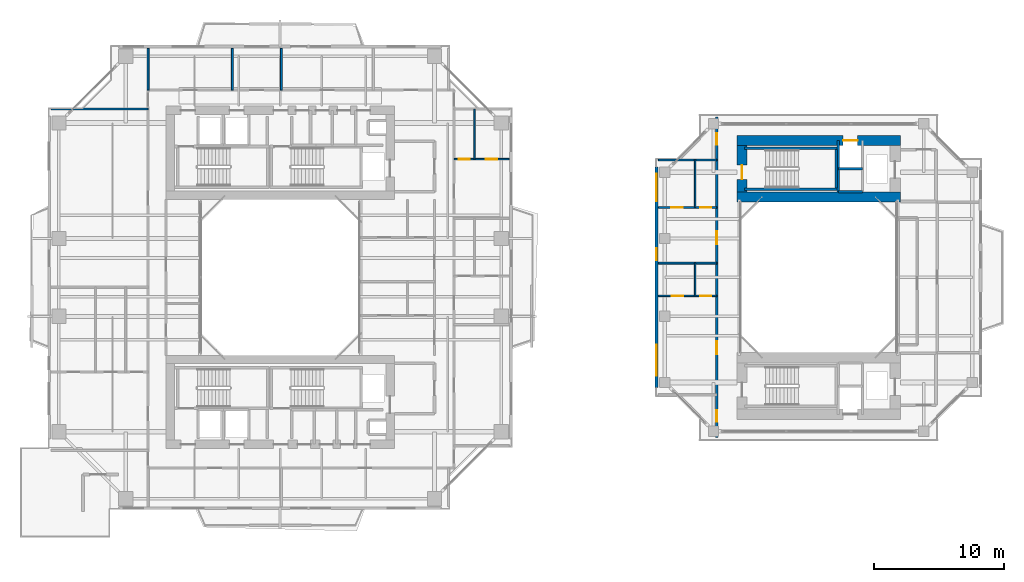
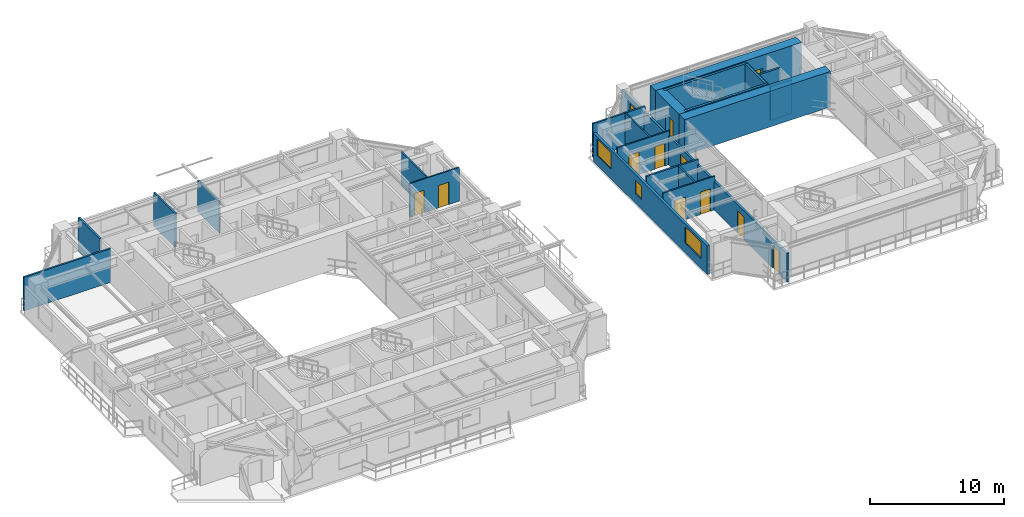
# One storey, part 16 of 23: 23 walls, 12 doors, 3 windows, 15 openings.
"""IFC4 building model written with IfcOpenShell, lengths in metres."""

from ifc_helpers import new_model, si_unit, direction, frame, frame_2d, origin, place, context, subcontext, project, spatial, rectangle, extrude, source, transform, mapped, material, layer, layer_set, type_object, element, fill, save


model = new_model("IFC4")

# Units and contexts
model_context = context("Model", 3, precision=1e-05, world=origin(), true_north=direction((0.0, 1.0)))
body_context = subcontext(model_context, "Body", "Model", "MODEL_VIEW")
ifc_project = project(units=[si_unit("LENGTHUNIT", "METRE"), si_unit("AREAUNIT", "SQUARE_METRE"), si_unit("VOLUMEUNIT", "CUBIC_METRE"), si_unit("PLANEANGLEUNIT", "RADIAN"), si_unit("MASSUNIT", "GRAM", prefix="KILO"), si_unit("THERMODYNAMICTEMPERATUREUNIT", "KELVIN"), si_unit("POWERUNIT", "WATT")], contexts=[model_context])

# Site, building, storey
site_placement = place(None, origin())
site = spatial("IfcSite", under=ifc_project, at=site_placement, CompositionType="ELEMENT")
building_placement = place(site_placement, origin())
building = spatial("IfcBuilding", under=site, at=building_placement, Name="Qiaomeng Ring Towers", CompositionType="ELEMENT")
storey_placement = place(building_placement, frame((0.0, 0.0, 103.5)))
storey = spatial("IfcBuildingStorey", under=building, at=storey_placement, Name="L29", CompositionType="ELEMENT", Elevation=103.5)

# Wall, openings, windows
ifc_material_1 = material(Name="Precast concrete C40", Category="concrete")
ifc_layer_1 = layer(ifc_material_1, 0.219970703125, Name="Precast concrete C40")
ifc_layer_set_1 = layer_set([ifc_layer_1], Name="Precast concrete C40")
wall_type_1 = type_object("IfcWallType", Name="ARC-WL-EW2", PredefinedType="STANDARD", material=ifc_layer_set_1)
wall_1_placement = place(storey_placement, frame((48.010009765625, 14.5, 0.0), z_axis=(0.0, 0.0, 1.0), x_axis=(0.0, 1.0, 0.0)))
wall_1 = element("IfcWall", 1, at=wall_1_placement, inside=storey, type_object=wall_type_1, Name="L29 Companion West Wall", PredefinedType="STANDARD", context=body_context, shape_type="SweptSolid", body=[
    extrude(rectangle(XDim=17.0, YDim=0.219970703125, at=frame_2d((8.5, 0.0))), origin(), (0.0, 0.0, 1.0), 2.610107421875),
])
opening_1_placement = place(wall_1_placement, frame((0.925048828125, 0.0, 0.89990234375)))
opening_1 = element("IfcOpeningElement", 2, at=opening_1_placement, cuts=wall_1, Name="Opening WN6", PredefinedType="OPENING", context=body_context, shape_type="SweptSolid", body=[
    extrude(rectangle(XDim=2.39990234375, YDim=1.47998046875, at=frame_2d((1.199951171875, 0.739990234375))), frame((0.0, 0.119873046875, 0.0), z_axis=(0.0, -1.0, 0.0), x_axis=(1.0, 0.0, 0.0)), (0.0, 0.0, 1.0), 0.239990234375),
])
opening_2_placement = place(wall_1_placement, frame((14.3798828125, 0.0, 0.89990234375)))
opening_2 = element("IfcOpeningElement", 3, at=opening_2_placement, cuts=wall_1, Name="Opening WN4", PredefinedType="OPENING", context=body_context, shape_type="SweptSolid", body=[
    extrude(rectangle(XDim=2.10009765625, YDim=1.5, at=frame_2d((1.050048828125, 0.75))), frame((0.0, 0.119873046875, 0.0), z_axis=(0.0, -1.0, 0.0), x_axis=(1.0, 0.0, 0.0)), (0.0, 0.0, 1.0), 0.239990234375),
])
opening_3_placement = place(wall_1_placement, frame((9.8349609375, 0.0, 0.89990234375)))
opening_3 = element("IfcOpeningElement", 4, at=opening_3_placement, cuts=wall_1, Name="Opening WN5", PredefinedType="OPENING", context=body_context, shape_type="SweptSolid", body=[
    extrude(rectangle(XDim=0.89990234375, YDim=1.199951171875, at=frame_2d((0.449951171875, 0.60009765625))), frame((0.0, 0.119873046875, 0.0), z_axis=(0.0, -1.0, 0.0), x_axis=(1.0, 0.0, 0.0)), (0.0, 0.0, 1.0), 0.239990234375),
])
ifc_material_2 = material(Name="Low-E dark-grey laminated double glazing", Category="glass")
window_type_1 = type_object("IfcWindowType", Name="ARC-WN-4", PartitioningType="TRIPLE_PANEL_VERTICAL", PredefinedType="WINDOW", material=ifc_material_2)
shared_shape_1 = source(origin(), body_context, "Body", "SweptSolid", [
    extrude(rectangle(XDim=2.10009765625, YDim=1.5, at=frame_2d((1.050048828125, 0.75))), frame((0.0, 0.030029296875, 0.0), z_axis=(0.0, -1.0, 0.0), x_axis=(1.0, 0.0, 0.0)), (0.0, 0.0, 1.0), 0.06005859375),
])
window_1_placement = place(opening_2_placement, origin())
window_1 = element("IfcWindow", 5, at=window_1_placement, inside=storey, type_object=window_type_1, Name="L29 Exterior Window WN4", OverallHeight=1.5, OverallWidth=2.10009765625, PartitioningType="TRIPLE_PANEL_VERTICAL", PredefinedType="WINDOW", context=body_context, shape_type="MappedRepresentation", body=[
    mapped(shared_shape_1, transform((0.0, 0.0, 0.0), x_axis=(1.0, 0.0, 0.0), y_axis=(0.0, 1.0, 0.0), z_axis=(0.0, 0.0, 1.0), scale=1.0)),
])
fill(opening_2, window_1)
window_type_2 = type_object("IfcWindowType", Name="ARC-WN-6", PartitioningType="TRIPLE_PANEL_VERTICAL", PredefinedType="WINDOW", material=ifc_material_2)
shared_shape_2 = source(origin(), body_context, "Body", "SweptSolid", [
    extrude(rectangle(XDim=2.39990234375, YDim=1.47998046875, at=frame_2d((1.199951171875, 0.739990234375))), frame((0.0, 0.030029296875, 0.0), z_axis=(0.0, -1.0, 0.0), x_axis=(1.0, 0.0, 0.0)), (0.0, 0.0, 1.0), 0.06005859375),
])
window_2_placement = place(opening_1_placement, origin())
window_2 = element("IfcWindow", 6, at=window_2_placement, inside=storey, type_object=window_type_2, Name="L29 Exterior Window WN6", OverallHeight=1.47998046875, OverallWidth=2.39990234375, PartitioningType="TRIPLE_PANEL_VERTICAL", PredefinedType="WINDOW", context=body_context, shape_type="MappedRepresentation", body=[
    mapped(shared_shape_2, transform((0.0, 0.0, 0.0), x_axis=(1.0, 0.0, 0.0), y_axis=(0.0, 1.0, 0.0), z_axis=(0.0, 0.0, 1.0), scale=1.0)),
])
fill(opening_1, window_2)
window_type_3 = type_object("IfcWindowType", Name="ARC-WN-5", PartitioningType="SINGLE_PANEL", PredefinedType="WINDOW", material=ifc_material_2)
shared_shape_3 = source(origin(), body_context, "Body", "SweptSolid", [
    extrude(rectangle(XDim=0.89990234375, YDim=1.199951171875, at=frame_2d((0.449951171875, 0.60009765625))), frame((0.0, 0.030029296875, 0.0), z_axis=(0.0, -1.0, 0.0), x_axis=(1.0, 0.0, 0.0)), (0.0, 0.0, 1.0), 0.06005859375),
])
window_3_placement = place(opening_3_placement, origin())
window_3 = element("IfcWindow", 7, at=window_3_placement, inside=storey, type_object=window_type_3, Name="L29 Exterior Window WN5", OverallHeight=1.199951171875, OverallWidth=0.89990234375, PartitioningType="SINGLE_PANEL", PredefinedType="WINDOW", context=body_context, shape_type="MappedRepresentation", body=[
    mapped(shared_shape_3, transform((0.0, 0.0, 0.0), x_axis=(1.0, 0.0, 0.0), y_axis=(0.0, 1.0, 0.0), z_axis=(0.0, 0.0, 1.0), scale=1.0)),
])
fill(opening_3, window_3)

# Wall, openings, doors
ifc_material_3 = material(Name="Autoclaved aerated concrete block", Category="concrete")
ifc_layer_2 = layer(ifc_material_3, 0.179931640625, Name="Autoclaved aerated concrete block")
ifc_layer_set_2 = layer_set([ifc_layer_2], Name="Autoclaved aerated concrete block")
wall_type_2 = type_object("IfcWallType", Name="ARC-WL-PW2", PredefinedType="PARTITIONING", material=ifc_layer_set_2)
wall_2_placement = place(storey_placement, frame((52.64990234375, 10.64990234375, 0.0), z_axis=(0.0, 0.0, 1.0), x_axis=(0.0, 1.0, 0.0)))
wall_2 = element("IfcWall", 8, at=wall_2_placement, inside=storey, type_object=wall_type_2, Name="L29 Interior Wall PW2", PredefinedType="PARTITIONING", context=body_context, shape_type="SweptSolid", body=[
    extrude(rectangle(XDim=24.7001953125, YDim=0.179931640625, at=frame_2d((12.35009765625, 0.0))), origin(), (0.0, 0.0, 1.0), 2.614990234375),
])
opening_4_placement = place(wall_2_placement, frame((22.580078125, 0.0, 0.0)))
opening_4 = element("IfcOpeningElement", 9, at=opening_4_placement, cuts=wall_2, Name="Opening ID1", PredefinedType="OPENING", context=body_context, shape_type="SweptSolid", body=[
    extrude(rectangle(XDim=0.89990234375, YDim=2.050048828125, at=frame_2d((0.449951171875, 1.02490234375))), frame((0.0, 0.099853515625, 0.0), z_axis=(0.0, -1.0, 0.0), x_axis=(1.0, 0.0, 0.0)), (0.0, 0.0, 1.0), 0.199951171875),
])
opening_5_placement = place(wall_2_placement, frame((1.219970703125, 0.0, 0.0)))
opening_5 = element("IfcOpeningElement", 10, at=opening_5_placement, cuts=wall_2, Name="Opening ID1", PredefinedType="OPENING", context=body_context, shape_type="SweptSolid", body=[
    extrude(rectangle(XDim=0.89990234375, YDim=2.050048828125, at=frame_2d((0.449951171875, 1.02490234375))), frame((0.0, 0.099853515625, 0.0), z_axis=(0.0, -1.0, 0.0), x_axis=(1.0, 0.0, 0.0)), (0.0, 0.0, 1.0), 0.199951171875),
])
opening_6_placement = place(wall_2_placement, frame((6.425048828125, 0.0, 0.0)))
opening_6 = element("IfcOpeningElement", 11, at=opening_6_placement, cuts=wall_2, Name="Opening FD4", PredefinedType="OPENING", context=body_context, shape_type="SweptSolid", body=[
    extrude(rectangle(XDim=1.0, YDim=2.050048828125, at=frame_2d((0.5, 1.02490234375))), frame((0.0, 0.099853515625, 0.0), z_axis=(0.0, -1.0, 0.0), x_axis=(1.0, 0.0, 0.0)), (0.0, 0.0, 1.0), 0.199951171875),
])
opening_7_placement = place(wall_2_placement, frame((14.905029296875, 0.0, 0.0)))
opening_7 = element("IfcOpeningElement", 12, at=opening_7_placement, cuts=wall_2, Name="Opening FD4", PredefinedType="OPENING", context=body_context, shape_type="SweptSolid", body=[
    extrude(rectangle(XDim=1.0, YDim=2.050048828125, at=frame_2d((0.5, 1.02490234375))), frame((0.0, 0.099853515625, 0.0), z_axis=(0.0, -1.0, 0.0), x_axis=(1.0, 0.0, 0.0)), (0.0, 0.0, 1.0), 0.199951171875),
])
ifc_material_4 = material(Name="Engineered fire-rated oak timber", Category="wood")
door_type_1 = type_object("IfcDoorType", Name="ARC-DR-FD4", OperationType="NOTDEFINED", PredefinedType="DOOR", material=ifc_material_4)
shared_shape_4 = source(origin(), body_context, "Body", "SweptSolid", [
    extrude(rectangle(XDim=1.0, YDim=2.050048828125, at=frame_2d((0.5, 1.02490234375))), frame((0.0, 0.02490234375, 0.0), z_axis=(0.0, -1.0, 0.0), x_axis=(1.0, 0.0, 0.0)), (0.0, 0.0, 1.0), 0.050048828125),
])
door_1_placement = place(opening_6_placement, origin())
door_1 = element("IfcDoor", 13, at=door_1_placement, inside=storey, type_object=door_type_1, Name="L29 Door FD4", OperationType="SINGLE_SWING_LEFT", OverallHeight=2.050048828125, OverallWidth=1.0, PredefinedType="DOOR", context=body_context, shape_type="MappedRepresentation", body=[
    mapped(shared_shape_4, transform((0.0, 0.0, 0.0), x_axis=(1.0, 0.0, 0.0), y_axis=(0.0, 1.0, 0.0), z_axis=(0.0, 0.0, 1.0), scale=1.0)),
])
fill(opening_6, door_1)
door_2_placement = place(opening_7_placement, origin())
door_2 = element("IfcDoor", 14, at=door_2_placement, inside=storey, type_object=door_type_1, Name="L29 Door FD4", OperationType="SINGLE_SWING_RIGHT", OverallHeight=2.050048828125, OverallWidth=1.0, PredefinedType="DOOR", context=body_context, shape_type="MappedRepresentation", body=[
    mapped(shared_shape_4, transform((0.0, 0.0, 0.0), x_axis=(1.0, 0.0, 0.0), y_axis=(0.0, 1.0, 0.0), z_axis=(0.0, 0.0, 1.0), scale=1.0)),
])
fill(opening_7, door_2)
ifc_material_5 = material(Name="Engineered oak timber", Category="wood")
door_type_2 = type_object("IfcDoorType", Name="ARC-DR-ID1", OperationType="NOTDEFINED", PredefinedType="DOOR", material=ifc_material_5)
shared_shape_5 = source(origin(), body_context, "Body", "SweptSolid", [
    extrude(rectangle(XDim=0.89990234375, YDim=2.050048828125, at=frame_2d((0.449951171875, 1.02490234375))), frame((0.0, 0.02490234375, 0.0), z_axis=(0.0, -1.0, 0.0), x_axis=(1.0, 0.0, 0.0)), (0.0, 0.0, 1.0), 0.050048828125),
])
door_3_placement = place(opening_4_placement, origin())
door_3 = element("IfcDoor", 15, at=door_3_placement, inside=storey, type_object=door_type_2, Name="L29 Door ID1", OperationType="SINGLE_SWING_LEFT", OverallHeight=2.050048828125, OverallWidth=0.89990234375, PredefinedType="DOOR", context=body_context, shape_type="MappedRepresentation", body=[
    mapped(shared_shape_5, transform((0.0, 0.0, 0.0), x_axis=(1.0, 0.0, 0.0), y_axis=(0.0, 1.0, 0.0), z_axis=(0.0, 0.0, 1.0), scale=1.0)),
])
fill(opening_4, door_3)
door_4_placement = place(opening_5_placement, origin())
door_4 = element("IfcDoor", 16, at=door_4_placement, inside=storey, type_object=door_type_2, Name="L29 Door ID1", OperationType="SINGLE_SWING_RIGHT", OverallHeight=2.050048828125, OverallWidth=0.89990234375, PredefinedType="DOOR", context=body_context, shape_type="MappedRepresentation", body=[
    mapped(shared_shape_5, transform((0.0, 0.0, 0.0), x_axis=(1.0, 0.0, 0.0), y_axis=(0.0, 1.0, 0.0), z_axis=(0.0, 0.0, 1.0), scale=1.0)),
])
fill(opening_5, door_4)

# Walls
ifc_material_6 = material(Name="Gypsum fireboard steel-stud partition", Category="steel")
ifc_layer_3 = layer(ifc_material_6, 0.14990234375, Name="Gypsum fireboard steel-stud partition")
ifc_layer_set_3 = layer_set([ifc_layer_3], Name="Gypsum fireboard steel-stud partition")
wall_type_3 = type_object("IfcWallType", Name="ARC-WL-PW3", PredefinedType="PARTITIONING", material=ifc_layer_set_3)
wall_3_placement = place(storey_placement, frame((15.320068359375, 37.43994140625, 0.0), z_axis=(0.0, 0.0, 1.0), x_axis=(0.0, 1.0, 0.0)))
element("IfcWall", 17, at=wall_3_placement, inside=storey, type_object=wall_type_3, Name="L29 Interior Wall PW3", PredefinedType="PARTITIONING", context=body_context, shape_type="SweptSolid", body=[
    extrude(rectangle(XDim=3.2099609375, YDim=0.14990234375, at=frame_2d((1.60498046875, 0.0))), origin(), (0.0, 0.0, 1.0), 3.070068359375),
])
wall_4_placement = place(storey_placement, frame((19.10009765625, 37.43994140625, 0.0), z_axis=(0.0, 0.0, 1.0), x_axis=(0.0, 1.0, 0.0)))
element("IfcWall", 18, at=wall_4_placement, inside=storey, type_object=wall_type_3, Name="L29 Interior Wall PW3", PredefinedType="PARTITIONING", context=body_context, shape_type="SweptSolid", body=[
    extrude(rectangle(XDim=3.2099609375, YDim=0.14990234375, at=frame_2d((1.60498046875, 0.0))), origin(), (0.0, 0.0, 1.0), 2.864990234375),
])
wall_5_placement = place(storey_placement, frame((8.820068359375, 37.43994140625, 0.0), z_axis=(0.0, 0.0, 1.0), x_axis=(0.0, 1.0, 0.0)))
element("IfcWall", 19, at=wall_5_placement, inside=storey, type_object=wall_type_3, Name="L29 Interior Wall PW3", PredefinedType="PARTITIONING", context=body_context, shape_type="SweptSolid", body=[
    extrude(rectangle(XDim=3.2099609375, YDim=0.14990234375, at=frame_2d((1.60498046875, 0.0))), origin(), (0.0, 0.0, 1.0), 3.070068359375),
])
wall_6_placement = place(storey_placement, frame((1.35009765625, 35.97998046875, 0.0), z_axis=(0.0, 0.0, 1.0), x_axis=(1.0, 0.0, 0.0)))
element("IfcWall", 20, at=wall_6_placement, inside=storey, type_object=wall_type_3, Name="L29 Interior Wall PW3", PredefinedType="PARTITIONING", context=body_context, shape_type="SweptSolid", body=[
    extrude(rectangle(XDim=7.469970703125, YDim=0.14990234375, at=frame_2d((3.73486328125, 0.0))), origin(), (0.0, 0.0, 1.0), 3.070068359375),
])
for number, where, z_axis, x_axis, name in (
    (21, (48.14990234375, 32.050048828125, 0.0), (0.0, 0.0, 1.0), (1.0, 0.0, 0.0), "L29 Interior Wall PW3"),
    (22, (48.14990234375, 24.10009765625, 0.0), (0.0, 0.0, 1.0), (1.0, 0.0, 0.0), "L29 Interior Wall PW3"),
):
    element("IfcWall", number, at=place(storey_placement, frame(where, z_axis=z_axis, x_axis=x_axis)), inside=storey, type_object=wall_type_3, Name=name, PredefinedType="PARTITIONING", context=body_context, shape_type="SweptSolid", body=[
        extrude(rectangle(XDim=4.5, YDim=0.14990234375, at=frame_2d((2.25, 0.0))), origin(), (0.0, 0.0, 1.0), 3.070068359375),
    ])

# Wall, openings, doors
ifc_material_7 = material(Name="Moisture-resistant gypsum steel-stud partition", Category="steel")
ifc_layer_4 = layer(ifc_material_7, 0.1201171875, Name="Moisture-resistant gypsum steel-stud partition")
ifc_layer_set_4 = layer_set([ifc_layer_4], Name="Moisture-resistant gypsum steel-stud partition")
wall_type_4 = type_object("IfcWallType", Name="ARC-WL-PW4", PredefinedType="PLUMBINGWALL", material=ifc_layer_set_4)
wall_7_placement = place(storey_placement, frame((32.39990234375, 32.110107421875, 0.0), z_axis=(0.0, 0.0, 1.0), x_axis=(1.0, 0.0, 0.0)))
wall_7 = element("IfcWall", 23, at=wall_7_placement, inside=storey, type_object=wall_type_4, Name="L29 Interior Wall PW4", PredefinedType="PLUMBINGWALL", context=body_context, shape_type="SweptSolid", body=[
    extrude(rectangle(XDim=4.25, YDim=0.1201171875, at=frame_2d((2.125, 0.0))), origin(), (0.0, 0.0, 1.0), 3.070068359375),
])
opening_8_placement = place(wall_7_placement, frame((0.3701171875, 0.0, 0.0)))
opening_8 = element("IfcOpeningElement", 24, at=opening_8_placement, cuts=wall_7, Name="Opening ID2", PredefinedType="OPENING", context=body_context, shape_type="SweptSolid", body=[
    extrude(rectangle(XDim=0.85009765625, YDim=2.050048828125, at=frame_2d((0.425048828125, 1.02490234375))), frame((0.0, 0.070068359375, 0.0), z_axis=(0.0, -1.0, 0.0), x_axis=(1.0, 0.0, 0.0)), (0.0, 0.0, 1.0), 0.14013671875),
])
opening_9_placement = place(wall_7_placement, frame((2.449951171875, 0.0, 0.0)))
opening_9 = element("IfcOpeningElement", 25, at=opening_9_placement, cuts=wall_7, Name="Opening ID1", PredefinedType="OPENING", context=body_context, shape_type="SweptSolid", body=[
    extrude(rectangle(XDim=0.89990234375, YDim=2.050048828125, at=frame_2d((0.449951171875, 1.02490234375))), frame((0.0, 0.070068359375, 0.0), z_axis=(0.0, -1.0, 0.0), x_axis=(1.0, 0.0, 0.0)), (0.0, 0.0, 1.0), 0.14013671875),
])
ifc_material_8 = material(Name="Moisture-resistant engineered timber", Category="wood")
door_type_3 = type_object("IfcDoorType", Name="ARC-DR-ID2", OperationType="NOTDEFINED", PredefinedType="DOOR", material=ifc_material_8)
shared_shape_6 = source(origin(), body_context, "Body", "SweptSolid", [
    extrude(rectangle(XDim=0.85009765625, YDim=2.050048828125, at=frame_2d((0.425048828125, 1.02490234375))), frame((0.0, 0.02490234375, 0.0), z_axis=(0.0, -1.0, 0.0), x_axis=(1.0, 0.0, 0.0)), (0.0, 0.0, 1.0), 0.050048828125),
])
door_5_placement = place(opening_8_placement, origin())
door_5 = element("IfcDoor", 26, at=door_5_placement, inside=storey, type_object=door_type_3, Name="L29 Door ID2", OperationType="SINGLE_SWING_RIGHT", OverallHeight=2.050048828125, OverallWidth=0.85009765625, PredefinedType="DOOR", context=body_context, shape_type="MappedRepresentation", body=[
    mapped(shared_shape_6, transform((0.0, 0.0, 0.0), x_axis=(1.0, 0.0, 0.0), y_axis=(0.0, 1.0, 0.0), z_axis=(0.0, 0.0, 1.0), scale=1.0)),
])
fill(opening_8, door_5)
door_6_placement = place(opening_9_placement, origin())
door_6 = element("IfcDoor", 27, at=door_6_placement, inside=storey, type_object=door_type_2, Name="L29 Door ID1", OperationType="SINGLE_SWING_LEFT", OverallHeight=2.050048828125, OverallWidth=0.89990234375, PredefinedType="DOOR", context=body_context, shape_type="MappedRepresentation", body=[
    mapped(shared_shape_5, transform((0.0, 0.0, 0.0), x_axis=(1.0, 0.0, 0.0), y_axis=(0.0, 1.0, 0.0), z_axis=(0.0, 0.0, 1.0), scale=1.0)),
])
fill(opening_9, door_6)

# Wall
wall_8_placement = place(storey_placement, frame((33.969970703125, 32.110107421875, 0.0), z_axis=(0.0, 0.0, 1.0), x_axis=(0.0, 1.0, 0.0)))
element("IfcWall", 28, at=wall_8_placement, inside=storey, type_object=wall_type_4, Name="L29 Interior Wall PW4", PredefinedType="PLUMBINGWALL", context=body_context, shape_type="SweptSolid", body=[
    extrude(rectangle(XDim=3.869873046875, YDim=0.1201171875, at=frame_2d((1.93505859375, 0.0))), origin(), (0.0, 0.0, 1.0), 3.070068359375),
])

# Wall, openings, doors
wall_9_placement = place(storey_placement, frame((48.14990234375, 21.580078125, 0.0), z_axis=(0.0, 0.0, 1.0), x_axis=(1.0, 0.0, 0.0)))
wall_9 = element("IfcWall", 29, at=wall_9_placement, inside=storey, type_object=wall_type_4, Name="L29 Interior Wall PW4", PredefinedType="PLUMBINGWALL", context=body_context, shape_type="SweptSolid", body=[
    extrude(rectangle(XDim=4.5, YDim=0.1201171875, at=frame_2d((2.25, 0.0))), origin(), (0.0, 0.0, 1.0), 3.070068359375),
])
opening_10_placement = place(wall_9_placement, frame((1.035888671875, 0.0, 0.0)))
opening_10 = element("IfcOpeningElement", 30, at=opening_10_placement, cuts=wall_9, Name="Opening ID1", PredefinedType="OPENING", context=body_context, shape_type="SweptSolid", body=[
    extrude(rectangle(XDim=0.89990234375, YDim=2.050048828125, at=frame_2d((0.449951171875, 1.02490234375))), frame((0.0, 0.070068359375, 0.0), z_axis=(0.0, -1.0, 0.0), x_axis=(1.0, 0.0, 0.0)), (0.0, 0.0, 1.0), 0.14013671875),
])
opening_11_placement = place(wall_9_placement, frame((3.22998046875, 0.0, 0.0)))
opening_11 = element("IfcOpeningElement", 31, at=opening_11_placement, cuts=wall_9, Name="Opening ID2", PredefinedType="OPENING", context=body_context, shape_type="SweptSolid", body=[
    extrude(rectangle(XDim=0.85009765625, YDim=2.050048828125, at=frame_2d((0.425048828125, 1.02490234375))), frame((0.0, 0.070068359375, 0.0), z_axis=(0.0, -1.0, 0.0), x_axis=(1.0, 0.0, 0.0)), (0.0, 0.0, 1.0), 0.14013671875),
])
door_7_placement = place(opening_11_placement, origin())
door_7 = element("IfcDoor", 32, at=door_7_placement, inside=storey, type_object=door_type_3, Name="L29 Door ID2", OperationType="SINGLE_SWING_RIGHT", OverallHeight=2.050048828125, OverallWidth=0.85009765625, PredefinedType="DOOR", context=body_context, shape_type="MappedRepresentation", body=[
    mapped(shared_shape_6, transform((0.0, 0.0, 0.0), x_axis=(1.0, 0.0, 0.0), y_axis=(0.0, 1.0, 0.0), z_axis=(0.0, 0.0, 1.0), scale=1.0)),
])
fill(opening_11, door_7)
door_8_placement = place(opening_10_placement, origin())
door_8 = element("IfcDoor", 33, at=door_8_placement, inside=storey, type_object=door_type_2, Name="L29 Door ID1", OperationType="SINGLE_SWING_LEFT", OverallHeight=2.050048828125, OverallWidth=0.89990234375, PredefinedType="DOOR", context=body_context, shape_type="MappedRepresentation", body=[
    mapped(shared_shape_5, transform((0.0, 0.0, 0.0), x_axis=(1.0, 0.0, 0.0), y_axis=(0.0, 1.0, 0.0), z_axis=(0.0, 0.0, 1.0), scale=1.0)),
])
fill(opening_10, door_8)

# Wall
wall_10_placement = place(storey_placement, frame((50.97998046875, 21.580078125, 0.0), z_axis=(0.0, 0.0, 1.0), x_axis=(0.0, 1.0, 0.0)))
element("IfcWall", 34, at=wall_10_placement, inside=storey, type_object=wall_type_4, Name="L29 Interior Wall PW4", PredefinedType="PLUMBINGWALL", context=body_context, shape_type="SweptSolid", body=[
    extrude(rectangle(XDim=2.52001953125, YDim=0.1201171875, at=frame_2d((1.260009765625, 0.0))), origin(), (0.0, 0.0, 1.0), 3.070068359375),
])

# Wall, openings, doors
wall_11_placement = place(storey_placement, frame((48.14990234375, 28.389892578125, 0.0), z_axis=(0.0, 0.0, 1.0), x_axis=(1.0, 0.0, 0.0)))
wall_11 = element("IfcWall", 35, at=wall_11_placement, inside=storey, type_object=wall_type_4, Name="L29 Interior Wall PW4", PredefinedType="PLUMBINGWALL", context=body_context, shape_type="SweptSolid", body=[
    extrude(rectangle(XDim=4.5, YDim=0.1201171875, at=frame_2d((2.25, 0.0))), origin(), (0.0, 0.0, 1.0), 3.070068359375),
])
opening_12_placement = place(wall_11_placement, frame((0.97509765625, 0.0, 0.0)))
opening_12 = element("IfcOpeningElement", 36, at=opening_12_placement, cuts=wall_11, Name="Opening ID1", PredefinedType="OPENING", context=body_context, shape_type="SweptSolid", body=[
    extrude(rectangle(XDim=0.89990234375, YDim=2.050048828125, at=frame_2d((0.449951171875, 1.02490234375))), frame((0.0, 0.070068359375, 0.0), z_axis=(0.0, -1.0, 0.0), x_axis=(1.0, 0.0, 0.0)), (0.0, 0.0, 1.0), 0.14013671875),
])
opening_13_placement = place(wall_11_placement, frame((3.22998046875, 0.0, 0.0)))
opening_13 = element("IfcOpeningElement", 37, at=opening_13_placement, cuts=wall_11, Name="Opening ID2", PredefinedType="OPENING", context=body_context, shape_type="SweptSolid", body=[
    extrude(rectangle(XDim=0.85009765625, YDim=2.050048828125, at=frame_2d((0.425048828125, 1.02490234375))), frame((0.0, 0.070068359375, 0.0), z_axis=(0.0, -1.0, 0.0), x_axis=(1.0, 0.0, 0.0)), (0.0, 0.0, 1.0), 0.14013671875),
])
door_9_placement = place(opening_13_placement, origin())
door_9 = element("IfcDoor", 38, at=door_9_placement, inside=storey, type_object=door_type_3, Name="L29 Door ID2", OperationType="SINGLE_SWING_RIGHT", OverallHeight=2.050048828125, OverallWidth=0.85009765625, PredefinedType="DOOR", context=body_context, shape_type="MappedRepresentation", body=[
    mapped(shared_shape_6, transform((0.0, 0.0, 0.0), x_axis=(1.0, 0.0, 0.0), y_axis=(0.0, 1.0, 0.0), z_axis=(0.0, 0.0, 1.0), scale=1.0)),
])
fill(opening_13, door_9)
door_10_placement = place(opening_12_placement, origin())
door_10 = element("IfcDoor", 39, at=door_10_placement, inside=storey, type_object=door_type_2, Name="L29 Door ID1", OperationType="SINGLE_SWING_LEFT", OverallHeight=2.050048828125, OverallWidth=0.89990234375, PredefinedType="DOOR", context=body_context, shape_type="MappedRepresentation", body=[
    mapped(shared_shape_5, transform((0.0, 0.0, 0.0), x_axis=(1.0, 0.0, 0.0), y_axis=(0.0, 1.0, 0.0), z_axis=(0.0, 0.0, 1.0), scale=1.0)),
])
fill(opening_12, door_10)

# Walls
wall_12_placement = place(storey_placement, frame((50.97998046875, 28.389892578125, 0.0), z_axis=(0.0, 0.0, 1.0), x_axis=(0.0, 1.0, 0.0)))
element("IfcWall", 40, at=wall_12_placement, inside=storey, type_object=wall_type_4, Name="L29 Interior Wall PW4", PredefinedType="PLUMBINGWALL", context=body_context, shape_type="SweptSolid", body=[
    extrude(rectangle(XDim=3.66015625, YDim=0.1201171875, at=frame_2d((1.830078125, 0.0))), origin(), (0.0, 0.0, 1.0), 3.070068359375),
])
ifc_material_9 = material(Name="Concrete C40", Category="concrete")
ifc_layer_5 = layer(ifc_material_9, 0.199951171875, Name="Concrete C40")
ifc_layer_set_5 = layer_set([ifc_layer_5], Name="Concrete C40")
wall_type_5 = type_object("IfcWallType", Name="STR-WL-STSHAFT", PredefinedType="SHEAR", material=ifc_layer_set_5)
wall_13_placement = place(storey_placement, frame((62.02001953125, 29.60009765625, 0.0), z_axis=(0.0, 0.0, 1.0), x_axis=(0.0, 1.0, 0.0)))
element("IfcWall", 41, at=wall_13_placement, inside=storey, type_object=wall_type_5, Name="L29 Companion Lift Shaft West Wall N", PredefinedType="SHEAR", context=body_context, shape_type="SweptSolid", body=[
    extrude(rectangle(XDim=3.949951171875, YDim=0.179931640625, at=frame_2d((1.97509765625, 0.0))), origin(), (0.0, 0.0, 1.0), 3.070068359375),
])
for number, where, z_axis, x_axis, name in (
    (42, (62.02001953125, 31.3798828125, 0.0), (0.0, 0.0, 1.0), (1.0, 0.0, 0.0), "L29 Companion Lift Shaft Divider Wall N"),
    (43, (62.02001953125, 29.60009765625, 0.0), (0.0, 0.0, 1.0), (1.0, 0.0, 0.0), "L29 Companion Riser Shaft Back Wall N"),
):
    element("IfcWall", number, at=place(storey_placement, frame(where, z_axis=z_axis, x_axis=x_axis)), inside=storey, type_object=wall_type_5, Name=name, PredefinedType="SHEAR", context=body_context, shape_type="SweptSolid", body=[
        extrude(rectangle(XDim=1.85986328125, YDim=0.179931640625, at=frame_2d((0.929931640625, 0.0))), origin(), (0.0, 0.0, 1.0), 3.070068359375),
    ])
for number, where, z_axis, x_axis, name in (
    (44, (54.800048828125, 29.800048828125, 0.0), (0.0, 0.0, 1.0), (1.0, 0.0, 0.0), "L29 Stair ST5 South Shaft Shear Wall"),
    (45, (54.800048828125, 32.93994140625, 0.0), (0.0, 0.0, 1.0), (1.0, 0.0, 0.0), "L29 Stair ST5 North Shaft Shear Wall"),
):
    element("IfcWall", number, at=place(storey_placement, frame(where, z_axis=z_axis, x_axis=x_axis)), inside=storey, type_object=wall_type_5, Name=name, PredefinedType="SHEAR", context=body_context, shape_type="SweptSolid", body=[
        extrude(rectangle(XDim=7.14990234375, YDim=0.199951171875, at=frame_2d((3.574951171875, 0.0))), origin(), (0.0, 0.0, 1.0), 3.25),
    ])
wall_14_placement = place(storey_placement, frame((61.85009765625, 29.89990234375, 0.0), z_axis=(0.0, 0.0, 1.0), x_axis=(0.0, 1.0, 0.0)))
element("IfcWall", 46, at=wall_14_placement, inside=storey, type_object=wall_type_5, Name="L29 Stair ST5 East Shaft Shear Wall", PredefinedType="SHEAR", context=body_context, shape_type="SweptSolid", body=[
    extrude(rectangle(XDim=2.940185546875, YDim=0.199951171875, at=frame_2d((1.47021484375, 0.0))), origin(), (0.0, 0.0, 1.0), 3.25),
])
ifc_material_10 = material(Name="Concrete C60", Category="concrete")
ifc_layer_6 = layer(ifc_material_10, 0.800048828125, Name="Concrete C60")
ifc_layer_set_6 = layer_set([ifc_layer_6], Name="Concrete C60")
wall_type_6 = type_object("IfcWallType", Name="STR-WL-SW1", PredefinedType="SHEAR", material=ifc_layer_set_6)
wall_15_placement = place(storey_placement, frame((54.199951171875, 29.199951171875, 0.0), z_axis=(0.0, 0.0, 1.0), x_axis=(1.0, 0.0, 0.0)))
element("IfcWall", 47, at=wall_15_placement, inside=storey, type_object=wall_type_6, Name="L29 T2NC south core shear wall", PredefinedType="SHEAR", context=body_context, shape_type="SweptSolid", body=[
    extrude(rectangle(XDim=12.60009765625, YDim=0.800048828125, at=frame_2d((6.300048828125, 0.0))), origin(), (0.0, 0.0, 1.0), 3.25),
])

# Wall, opening, door
wall_16_placement = place(storey_placement, frame((54.199951171875, 33.550048828125, 0.0), z_axis=(0.0, 0.0, 1.0), x_axis=(1.0, 0.0, 0.0)))
wall_16 = element("IfcWall", 48, at=wall_16_placement, inside=storey, type_object=wall_type_6, Name="L29 T2NC north core shear wall", PredefinedType="SHEAR", context=body_context, shape_type="SweptSolid", body=[
    extrude(rectangle(XDim=12.60009765625, YDim=0.800048828125, at=frame_2d((6.300048828125, 0.0))), origin(), (0.0, 0.0, 1.0), 3.25),
])
opening_14_placement = place(wall_16_placement, frame((8.199951171875, 0.0, 0.0)))
opening_14 = element("IfcOpeningElement", 49, at=opening_14_placement, cuts=wall_16, Name="Opening LD1", PredefinedType="OPENING", context=body_context, shape_type="SweptSolid", body=[
    extrude(rectangle(XDim=1.10009765625, YDim=2.050048828125, at=frame_2d((0.550048828125, 1.02490234375))), frame((0.0, 0.409912109375, 0.0), z_axis=(0.0, -1.0, 0.0), x_axis=(1.0, 0.0, 0.0)), (0.0, 0.0, 1.0), 0.820068359375),
])
ifc_material_11 = material(Name="Stainless steel 316", Category="steel")
door_type_4 = type_object("IfcDoorType", Name="ARC-DR-LD1", OperationType="NOTDEFINED", PredefinedType="DOOR", material=ifc_material_11)
shared_shape_7 = source(origin(), body_context, "Body", "SweptSolid", [
    extrude(rectangle(XDim=1.10009765625, YDim=2.050048828125, at=frame_2d((0.550048828125, 1.02490234375))), frame((0.0, 0.02490234375, 0.0), z_axis=(0.0, -1.0, 0.0), x_axis=(1.0, 0.0, 0.0)), (0.0, 0.0, 1.0), 0.050048828125),
])
door_11_placement = place(opening_14_placement, origin())
door_11 = element("IfcDoor", 50, at=door_11_placement, inside=storey, type_object=door_type_4, Name="L29 Companion Lift LP7 Landing Door", OperationType="SLIDING_TO_LEFT", OverallHeight=2.050048828125, OverallWidth=1.10009765625, PredefinedType="DOOR", context=body_context, shape_type="MappedRepresentation", body=[
    mapped(shared_shape_7, transform((0.0, 0.0, 0.0), x_axis=(1.0, 0.0, 0.0), y_axis=(0.0, 1.0, 0.0), z_axis=(0.0, 0.0, 1.0), scale=1.0)),
])
fill(opening_14, door_11)

wall_17_placement = place(storey_placement, frame((54.60009765625, 29.60009765625, 0.0), z_axis=(0.0, 0.0, 1.0), x_axis=(0.0, 1.0, 0.0)))
wall_17 = element("IfcWall", 51, at=wall_17_placement, inside=storey, type_object=wall_type_6, Name="L29 T2NC west core shear wall", PredefinedType="SHEAR", context=body_context, shape_type="SweptSolid", body=[
    extrude(rectangle(XDim=3.5498046875, YDim=0.800048828125, at=frame_2d((1.77490234375, 0.0))), origin(), (0.0, 0.0, 1.0), 3.25),
])
opening_15_placement = place(wall_17_placement, frame((0.949951171875, 0.0, 0.0)))
opening_15 = element("IfcOpeningElement", 52, at=opening_15_placement, cuts=wall_17, Name="Opening FD3", PredefinedType="OPENING", context=body_context, shape_type="SweptSolid", body=[
    extrude(rectangle(XDim=1.10009765625, YDim=2.050048828125, at=frame_2d((0.550048828125, 1.02490234375))), frame((0.0, 0.409912109375, 0.0), z_axis=(0.0, -1.0, 0.0), x_axis=(1.0, 0.0, 0.0)), (0.0, 0.0, 1.0), 0.820068359375),
])
ifc_material_12 = material(Name="Galvanised steel", Category="steel")
door_type_5 = type_object("IfcDoorType", Name="ARC-DR-FD3", OperationType="NOTDEFINED", PredefinedType="DOOR", material=ifc_material_12)
door_12_placement = place(opening_15_placement, origin())
door_12 = element("IfcDoor", 53, at=door_12_placement, inside=storey, type_object=door_type_5, Name="L29 Stair ST5 Exit Door", OperationType="SINGLE_SWING_RIGHT", OverallHeight=2.050048828125, OverallWidth=1.10009765625, PredefinedType="DOOR", context=body_context, shape_type="MappedRepresentation", body=[
    mapped(shared_shape_7, transform((0.0, 0.0, 0.0), x_axis=(1.0, 0.0, 0.0), y_axis=(0.0, 1.0, 0.0), z_axis=(0.0, 0.0, 1.0), scale=1.0)),
])
fill(opening_15, door_12)

save(model, "model.ifc")
